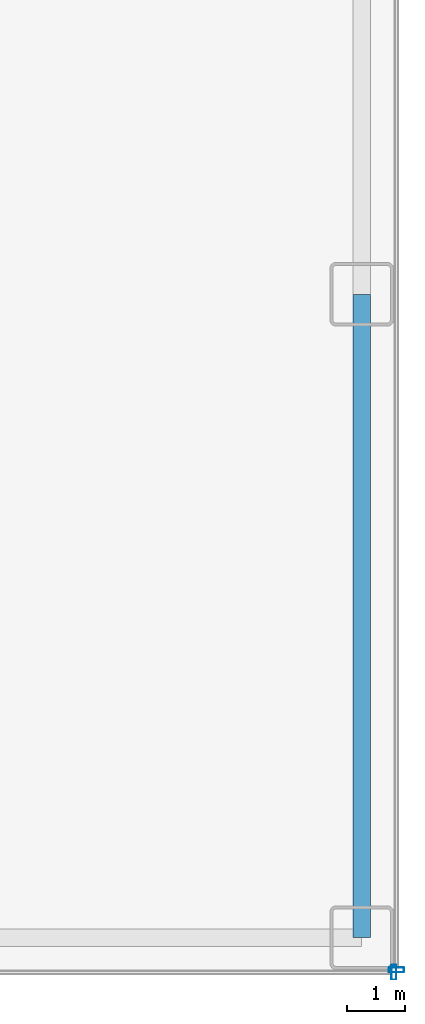
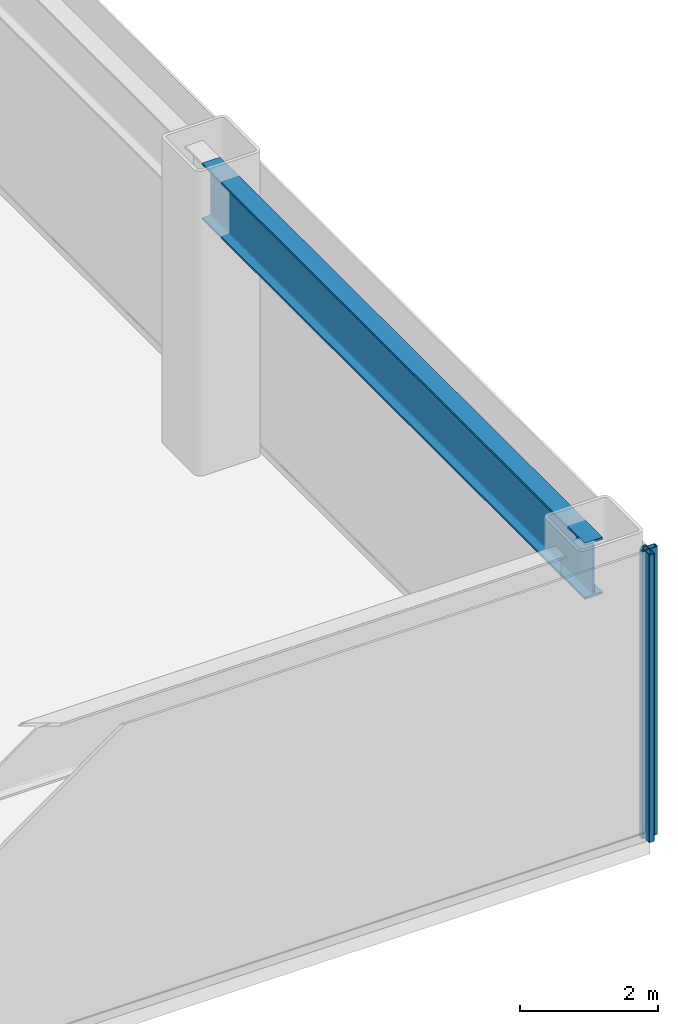
# One storey, part 12 of 24: 2 members, 1 beam, 2 elements without a shape of their own.
"""IFC4 building model written with IfcOpenShell, lengths in metres."""

from ifc_helpers import new_model, si_unit, direction, frame, origin, origin_2d, place, context, subcontext, project, spatial, hollow_rectangle, i_section, extrude, source, transform, mapped, material, layer, layer_set, material_profile, profile_set, type_object, element, aggregate, save


model = new_model("IFC4")

# Units and contexts
model_context = context("Model", 3, precision=1e-05, world=origin(), true_north=direction((0.0, 1.0)))
body_context = subcontext(model_context, "Body", "Model", "MODEL_VIEW")
ifc_project = project(units=[si_unit("LENGTHUNIT", "METRE"), si_unit("AREAUNIT", "SQUARE_METRE"), si_unit("VOLUMEUNIT", "CUBIC_METRE"), si_unit("PLANEANGLEUNIT", "RADIAN"), si_unit("MASSUNIT", "GRAM", prefix="KILO")], contexts=[model_context])

# Site, building, storey
site_placement = place(None, origin())
site = spatial("IfcSite", under=ifc_project, at=site_placement, CompositionType="ELEMENT")
building_placement = place(site_placement, origin())
building = spatial("IfcBuilding", under=site, at=building_placement, Name="Nefas-Gora Pilgrimage Tower", CompositionType="ELEMENT")
storey_placement = place(building_placement, frame((0.0, 0.0, 6.0)))
storey = spatial("IfcBuildingStorey", under=building, at=storey_placement, Name="L01", CompositionType="ELEMENT", Elevation=6.0)

# Beam
ifc_material_1 = material(Name="Steel S460", Category="steel")
ifc_material_profile_1 = material_profile(ifc_material_1, i_section(OverallWidth=0.300048828125, OverallDepth=1.0, WebThickness=0.01904296875, FlangeThickness=0.035888671875, FilletRadius=0.030029296875, at=origin_2d()), Name="HEB 1000")
ifc_profile_set_1 = profile_set([ifc_material_profile_1], Name="Steel S460")
beam_type = type_object("IfcBeamType", Name="BM-POD-HEB1000E", PredefinedType="BEAM", material=ifc_profile_set_1)
shared_shape_1 = source(origin(), body_context, "Body", "SweptSolid", [
    extrude(i_section(OverallWidth=0.300048828125, OverallDepth=1.0, WebThickness=0.01904296875, FlangeThickness=0.035888671875, FilletRadius=0.030029296875, at=origin_2d()), origin(), (0.0, 0.0, 1.0), 11.10009765625),
])
beam_placement = place(storey_placement, frame((37.64990234375, -24.60009765625, 4.60009765625), z_axis=(0.0, 1.0, 0.0), x_axis=(-1.0, 0.0, 0.0)))
element("IfcBeam", 1, at=beam_placement, inside=storey, type_object=beam_type, Name="L01 PG-01E beam", PredefinedType="BEAM", context=body_context, shape_type="MappedRepresentation", body=[
    mapped(shared_shape_1, transform((0.0, 0.0, 0.0), x_axis=(1.0, 0.0, 0.0), y_axis=(0.0, 1.0, 0.0), z_axis=(0.0, 0.0, 1.0), scale=1.0)),
])

# Curtain wall, member
ifc_material_2 = material(Name="Dark ceramic-fritted solar-control aluminium-glass curtain wall", Category="aluminium")
ifc_layer = layer(ifc_material_2, 0.219970703125)
ifc_layer_set = layer_set([ifc_layer], Name="Dark ceramic-fritted solar-control aluminium-glass curtain wall")
curtain_wall_type = type_object("IfcCurtainWallType", Name="CW-SYS-1", PredefinedType="NOTDEFINED", material=ifc_layer_set)
curtain_wall_1_placement = place(storey_placement, origin())
curtain_wall_1 = element("IfcCurtainWall", 2, at=curtain_wall_1_placement, inside=storey, type_object=curtain_wall_type, Name="L01 Unitised Curtain Wall CW1", PredefinedType="NOTDEFINED")
ifc_material_3 = material(Name="Anodised architectural aluminium", Category="aluminium")
ifc_material_profile_2 = material_profile(ifc_material_3, hollow_rectangle(XDim=0.090087890625, YDim=0.260009765625, WallThickness=0.006103515625, InnerFilletRadius=0.006103515625, OuterFilletRadius=0.011962890625, at=origin_2d()), Name="ALU MULLION 90x260")
ifc_profile_set_2 = profile_set([ifc_material_profile_2], Name="Anodised architectural aluminium")
member_type = type_object("IfcMemberType", Name="CWM-MUL-1", PredefinedType="MULLION", material=ifc_profile_set_2)
shared_shape_2 = source(origin(), body_context, "Body", "SweptSolid", [
    extrude(hollow_rectangle(XDim=0.090087890625, YDim=0.260009765625, WallThickness=0.006103515625, InnerFilletRadius=0.006103515625, OuterFilletRadius=0.011962890625, at=origin_2d()), origin(), (0.0, 0.0, 1.0), 5.10009765625),
])
member_1_placement = place(storey_placement, frame((38.25, -25.155029296875, 0.0), z_axis=(0.0, 0.0, 1.0), x_axis=(0.0, 1.0, 0.0)))
member_1 = element("IfcMember", 3, at=member_1_placement, type_object=member_type, Name="CW1 Mullion 1", PredefinedType="MULLION", context=body_context, shape_type="MappedRepresentation", body=[
    mapped(shared_shape_2, transform((0.0, 0.0, 0.0), x_axis=(1.0, 0.0, 0.0), y_axis=(0.0, 1.0, 0.0), z_axis=(0.0, 0.0, 1.0), scale=1.0)),
])
aggregate(curtain_wall_1, [member_1])

curtain_wall_2_placement = place(storey_placement, origin())
curtain_wall_2 = element("IfcCurtainWall", 4, at=curtain_wall_2_placement, inside=storey, type_object=curtain_wall_type, Name="L01 Unitised Curtain Wall CW1", PredefinedType="NOTDEFINED")
member_2_placement = place(storey_placement, frame((38.205078125, -25.199951171875, 0.0), z_axis=(0.0, 0.0, 1.0), x_axis=(1.0, 0.0, 0.0)))
member_2 = element("IfcMember", 5, at=member_2_placement, type_object=member_type, Name="CW1 Mullion 3", PredefinedType="MULLION", context=body_context, shape_type="MappedRepresentation", body=[
    mapped(shared_shape_2, transform((0.0, 0.0, 0.0), x_axis=(1.0, 0.0, 0.0), y_axis=(0.0, 1.0, 0.0), z_axis=(0.0, 0.0, 1.0), scale=1.0)),
])
aggregate(curtain_wall_2, [member_2])

save(model, "model.ifc")
